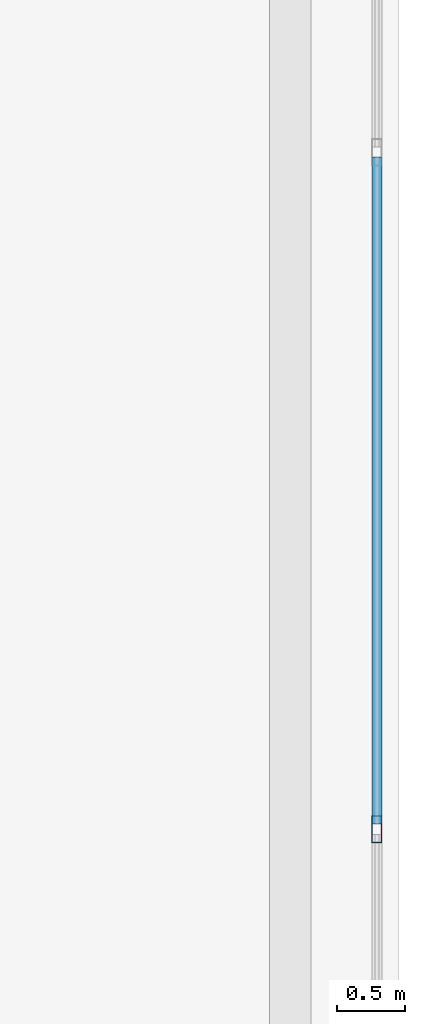
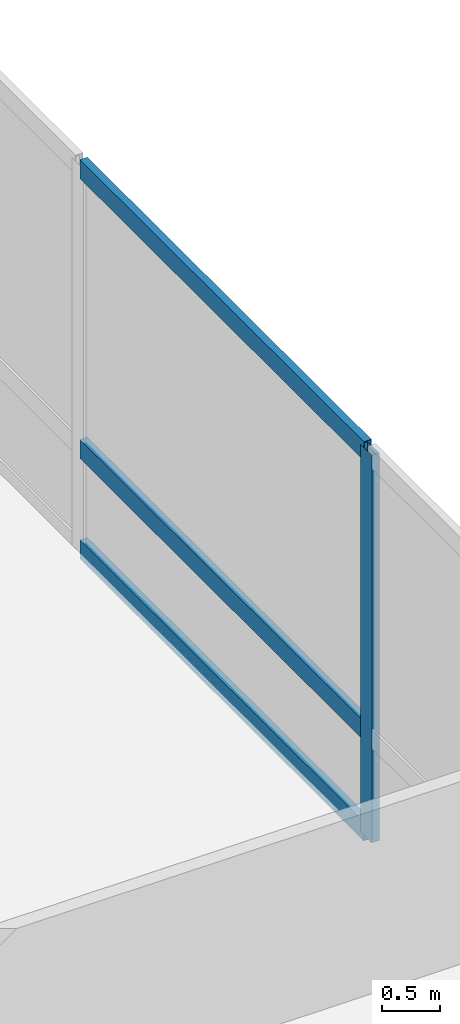
# One storey, part 18 of 31: 4 members, 1 element without a shape of its own.
"""IFC4 building model written with IfcOpenShell, lengths in metres."""

from ifc_helpers import new_model, si_unit, direction, frame, origin, origin_2d, place, context, subcontext, project, spatial, hollow_rectangle, extrude, material, layer, layer_set, material_profile, profile_set, type_object, element, aggregate, save


model = new_model("IFC4")

# Units and contexts
model_context = context("Model", 3, precision=1e-05, world=origin(), true_north=direction((0.0, 1.0)))
body_context = subcontext(model_context, "Body", "Model", "MODEL_VIEW")
ifc_project = project(units=[si_unit("LENGTHUNIT", "METRE"), si_unit("AREAUNIT", "SQUARE_METRE"), si_unit("VOLUMEUNIT", "CUBIC_METRE"), si_unit("PLANEANGLEUNIT", "RADIAN"), si_unit("MASSUNIT", "GRAM", prefix="KILO")], contexts=[model_context])

# Site, building, storey
site_placement = place(None, origin())
site = spatial("IfcSite", under=ifc_project, at=site_placement, CompositionType="ELEMENT")
building_placement = place(site_placement, origin())
building = spatial("IfcBuilding", under=site, at=building_placement, Name="Varnelok Gate Tower", CompositionType="ELEMENT")
storey_placement = place(building_placement, frame((0.0, 0.0, 21.60009765625)))
storey = spatial("IfcBuildingStorey", under=building, at=storey_placement, Name="L04", CompositionType="ELEMENT", Elevation=21.60009765625)

# Curtain wall, members
ifc_material = material(Name="Anodized Aluminum Alloy 6063-T6", Category="aluminium")
ifc_layer = layer(ifc_material, 0.179931640625)
ifc_layer_set = layer_set([ifc_layer], Name="Anodized Aluminum Alloy 6063-T6")
curtain_wall_type = type_object("IfcCurtainWallType", Name="CW1-ARCH-PORTAL", PredefinedType="USERDEFINED", material=ifc_layer_set)
curtain_wall_placement = place(storey_placement, origin())
curtain_wall = element("IfcCurtainWall", 1, at=curtain_wall_placement, inside=storey, type_object=curtain_wall_type, Name="L04 Podium Portal Curtain Wall E", ObjectType="UNITISED CURTAIN WALL", PredefinedType="USERDEFINED")
ifc_material_profile_1 = material_profile(ifc_material, hollow_rectangle(XDim=0.074951171875, YDim=0.199951171875, WallThickness=0.00390625, at=origin_2d()), Name="ALU200X75X4")
ifc_profile_set_1 = profile_set([ifc_material_profile_1], Name="Anodized Aluminum Alloy 6063-T6")
member_type_1 = type_object("IfcMemberType", Name="CW-MULL-200", PredefinedType="MULLION", material=ifc_profile_set_1)
member_1_placement = place(storey_placement, frame((78.239990234375, 20.199951171875, 0.0), z_axis=(0.0, 0.0, 1.0), x_axis=(1.0, 0.0, 0.0)))
member_1 = element("IfcMember", 2, at=member_1_placement, type_object=member_type_1, Name="CW1 mullion 4", PredefinedType="MULLION", context=body_context, shape_type="SweptSolid", body=[
    extrude(hollow_rectangle(XDim=0.074951171875, YDim=0.199951171875, WallThickness=0.00390625, at=origin_2d()), origin(), (0.0, 0.0, 1.0), 4.099853515625),
])
ifc_material_profile_2 = material_profile(ifc_material, hollow_rectangle(XDim=0.074951171875, YDim=0.199951171875, WallThickness=0.00390625, at=origin_2d()), Name="ALU200X75X4")
ifc_profile_set_2 = profile_set([ifc_material_profile_2], Name="Anodized Aluminum Alloy 6063-T6")
member_type_2 = type_object("IfcMemberType", Name="CW-TRAN-200", PredefinedType="USERDEFINED", material=ifc_profile_set_2)
member_2_placement = place(storey_placement, frame((78.239990234375, 25.16259765625, 0.037353515625), z_axis=(0.0, -1.0, 0.0), x_axis=(1.0, 0.0, 0.0)))
member_2 = element("IfcMember", 3, at=member_2_placement, type_object=member_type_2, Name="CW1 transom 3.1", ObjectType="TRANSOM", PredefinedType="USERDEFINED", context=body_context, shape_type="SweptSolid", body=[
    extrude(hollow_rectangle(XDim=0.074951171875, YDim=0.199951171875, WallThickness=0.00390625, at=origin_2d()), origin(), (0.0, 0.0, 1.0), 4.925048828125),
])
member_3_placement = place(storey_placement, frame((78.239990234375, 25.16259765625, 1.099853515625), z_axis=(0.0, -1.0, 0.0), x_axis=(1.0, 0.0, 0.0)))
member_3 = element("IfcMember", 4, at=member_3_placement, type_object=member_type_2, Name="CW1 transom 3.2", ObjectType="TRANSOM", PredefinedType="USERDEFINED", context=body_context, shape_type="SweptSolid", body=[
    extrude(hollow_rectangle(XDim=0.074951171875, YDim=0.199951171875, WallThickness=0.00390625, at=origin_2d()), origin(), (0.0, 0.0, 1.0), 4.925048828125),
])
member_4_placement = place(storey_placement, frame((78.239990234375, 25.16259765625, 4.0625), z_axis=(0.0, -1.0, 0.0), x_axis=(1.0, 0.0, 0.0)))
member_4 = element("IfcMember", 5, at=member_4_placement, type_object=member_type_2, Name="CW1 transom 3.3", ObjectType="TRANSOM", PredefinedType="USERDEFINED", context=body_context, shape_type="SweptSolid", body=[
    extrude(hollow_rectangle(XDim=0.074951171875, YDim=0.199951171875, WallThickness=0.00390625, at=origin_2d()), origin(), (0.0, 0.0, 1.0), 4.925048828125),
])
aggregate(curtain_wall, [member_1, member_2, member_3, member_4])

save(model, "model.ifc")
